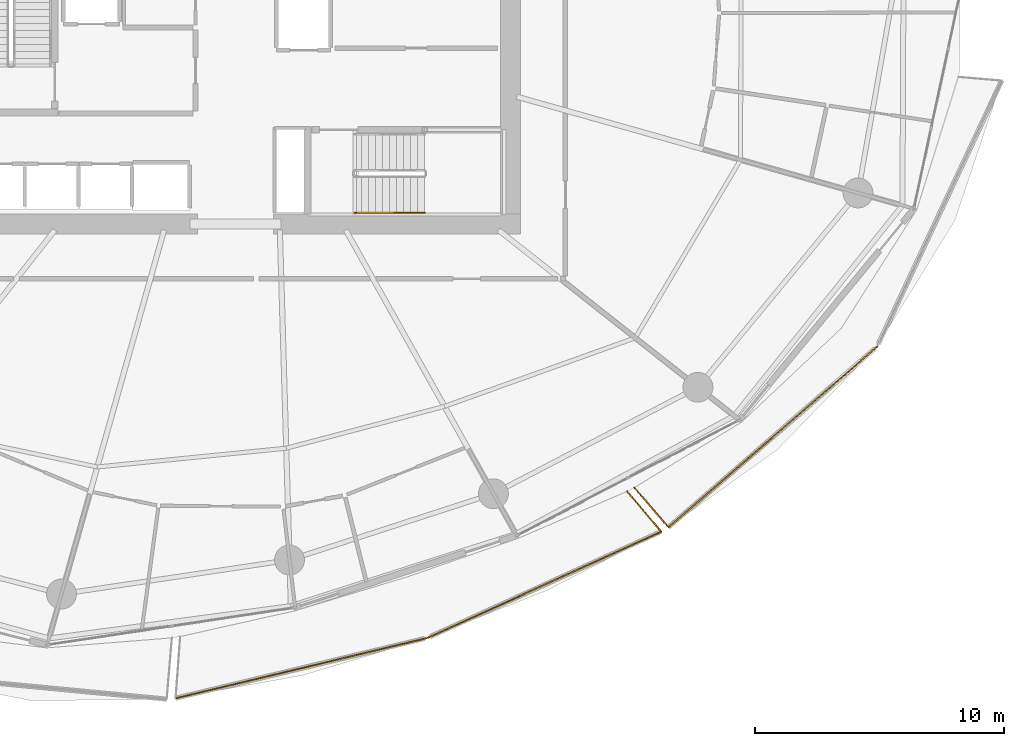
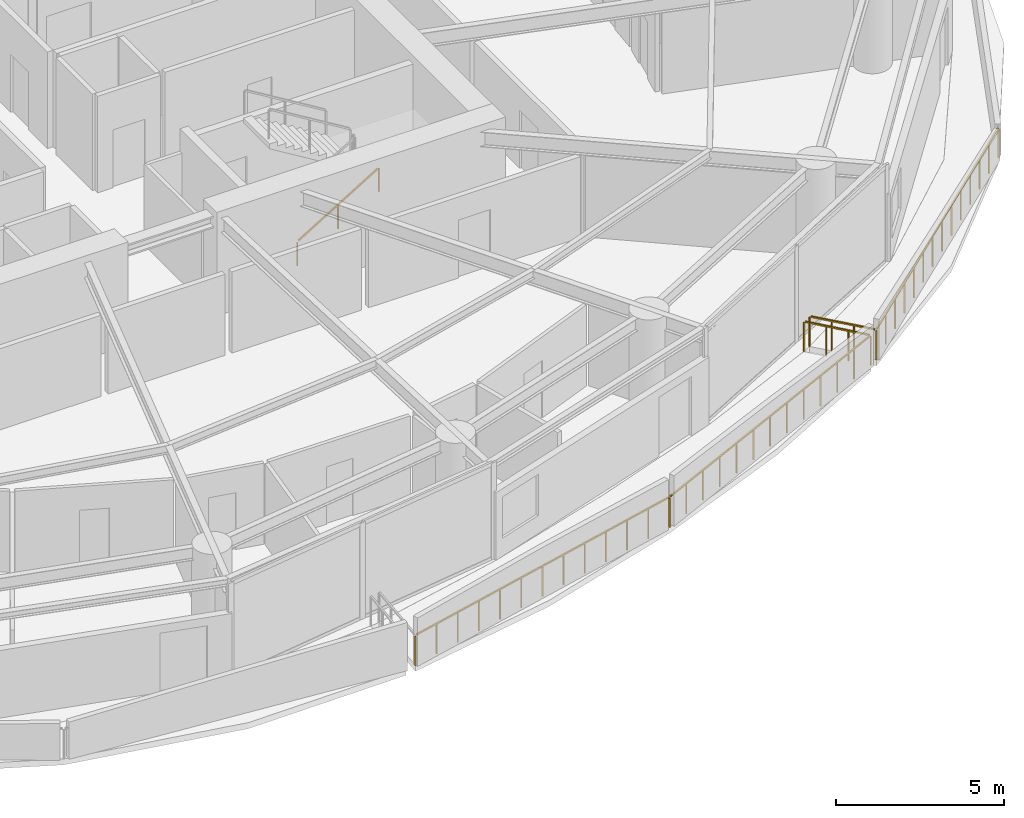
# One storey, part 19 of 23: 6 railings.
"""IFC4 building model written with IfcOpenShell, lengths in metres."""

from ifc_helpers import new_model, si_unit, direction, frame, origin, origin_2d, place, context, subcontext, project, spatial, rectangle, extrude, material, type_object, element, save


model = new_model("IFC4")

# Units and contexts
model_context = context("Model", 3, precision=1e-05, world=origin(), true_north=direction((0.0, 1.0)))
body_context = subcontext(model_context, "Body", "Model", "MODEL_VIEW")
ifc_project = project(units=[si_unit("LENGTHUNIT", "METRE"), si_unit("AREAUNIT", "SQUARE_METRE"), si_unit("VOLUMEUNIT", "CUBIC_METRE"), si_unit("PLANEANGLEUNIT", "RADIAN"), si_unit("MASSUNIT", "GRAM", prefix="KILO")], contexts=[model_context])

# Site, building, storey
site_placement = place(None, origin())
site = spatial("IfcSite", under=ifc_project, at=site_placement, CompositionType="ELEMENT")
building_placement = place(site_placement, origin())
building = spatial("IfcBuilding", under=site, at=building_placement, Name="Kazma Halo Residences", CompositionType="ELEMENT")
storey_placement = place(building_placement, frame((0.0, 0.0, 105.14990234375)))
storey = spatial("IfcBuildingStorey", under=building, at=storey_placement, Name="L26", CompositionType="ELEMENT", Elevation=105.14990234375)

# Railings
ifc_material_1 = material(Name="Aluminium AW-6063 T6 Brushed Cap Rail", Category="aluminium")
railing_type_1 = type_object("IfcRailingType", Name="RLG-BAL-CAP-1120", PredefinedType="BALUSTRADE", material=ifc_material_1)
railing_1_placement = place(storey_placement, frame((46.010498046875, 14.581298828125, 0.0)))
element("IfcRailing", 1, at=railing_1_placement, inside=storey, type_object=railing_type_1, Name="L26 SSE wave balcony guard 2", PredefinedType="BALUSTRADE", context=body_context, shape_type="SweptSolid", body=[
    extrude(rectangle(XDim=0.050048828125, YDim=0.050048828125, at=origin_2d()), frame((0.041259765625, 0.010009765625, 1.09521484375), z_axis=(0.972482281396, 0.23297684943, 0.0), x_axis=(-0.23297684943, 0.972482281396, 0.0)), (0.0, 0.0, 1.0), 10.312255859375),
    extrude(rectangle(XDim=0.0400390625, YDim=0.0400390625, at=origin_2d()), origin(), (0.0, 0.0, 1.0), 1.05810546875),
    extrude(rectangle(XDim=0.0400390625, YDim=0.0400390625, at=origin_2d()), frame((0.842529296875, 0.201904296875, 0.0)), (0.0, 0.0, 1.0), 1.05810546875),
    extrude(rectangle(XDim=0.0400390625, YDim=0.0400390625, at=origin_2d()), frame((1.685302734375, 0.40380859375, 0.0)), (0.0, 0.0, 1.0), 1.05810546875),
    extrude(rectangle(XDim=0.0400390625, YDim=0.0400390625, at=origin_2d()), frame((2.52783203125, 0.60546875, 0.0)), (0.0, 0.0, 1.0), 1.05810546875),
    extrude(rectangle(XDim=0.0400390625, YDim=0.0400390625, at=origin_2d()), frame((3.370361328125, 0.807373046875, 0.0)), (0.0, 0.0, 1.0), 1.05810546875),
    extrude(rectangle(XDim=0.0400390625, YDim=0.0400390625, at=origin_2d()), frame((4.213134765625, 1.00927734375, 0.0)), (0.0, 0.0, 1.0), 1.05810546875),
    extrude(rectangle(XDim=0.0400390625, YDim=0.0400390625, at=origin_2d()), frame((5.0556640625, 1.211181640625, 0.0)), (0.0, 0.0, 1.0), 1.05810546875),
    extrude(rectangle(XDim=0.0400390625, YDim=0.0400390625, at=origin_2d()), frame((5.898193359375, 1.4130859375, 0.0)), (0.0, 0.0, 1.0), 1.05810546875),
    extrude(rectangle(XDim=0.0400390625, YDim=0.0400390625, at=origin_2d()), frame((6.740966796875, 1.614990234375, 0.0)), (0.0, 0.0, 1.0), 1.05810546875),
    extrude(rectangle(XDim=0.0400390625, YDim=0.0400390625, at=origin_2d()), frame((7.58349609375, 1.81689453125, 0.0)), (0.0, 0.0, 1.0), 1.05810546875),
    extrude(rectangle(XDim=0.0400390625, YDim=0.0400390625, at=origin_2d()), frame((8.426025390625, 2.0185546875, 0.0)), (0.0, 0.0, 1.0), 1.05810546875),
    extrude(rectangle(XDim=0.0400390625, YDim=0.0400390625, at=origin_2d()), frame((9.268798828125, 2.220458984375, 0.0)), (0.0, 0.0, 1.0), 1.05810546875),
    extrude(rectangle(XDim=0.0400390625, YDim=0.0400390625, at=origin_2d()), frame((10.111328125, 2.42236328125, 0.0)), (0.0, 0.0, 1.0), 1.05810546875),
])
railing_2_placement = place(storey_placement, frame((56.121826171875, 17.003662109375, 0.0)))
element("IfcRailing", 2, at=railing_2_placement, inside=storey, type_object=railing_type_1, Name="L26 SSE wave balcony guard 3", PredefinedType="BALUSTRADE", context=body_context, shape_type="SweptSolid", body=[
    extrude(rectangle(XDim=0.050048828125, YDim=0.050048828125, at=origin_2d()), frame((0.038818359375, 0.017578125, 1.09521484375), z_axis=(0.91022101605, 0.414122810216, 0.0), x_axis=(-0.414122810216, 0.91022101605, 0.0)), (0.0, 0.0, 1.0), 10.20751953125),
    extrude(rectangle(XDim=0.0400390625, YDim=0.0400390625, at=origin_2d()), origin(), (0.0, 0.0, 1.0), 1.05810546875),
    extrude(rectangle(XDim=0.0400390625, YDim=0.0400390625, at=origin_2d()), frame((0.78076171875, 0.355224609375, 0.0)), (0.0, 0.0, 1.0), 1.05810546875),
    extrude(rectangle(XDim=0.0400390625, YDim=0.0400390625, at=origin_2d()), frame((1.5615234375, 0.71044921875, 0.0)), (0.0, 0.0, 1.0), 1.05810546875),
    extrude(rectangle(XDim=0.0400390625, YDim=0.0400390625, at=origin_2d()), frame((2.34228515625, 1.065673828125, 0.0)), (0.0, 0.0, 1.0), 1.05810546875),
    extrude(rectangle(XDim=0.0400390625, YDim=0.0400390625, at=origin_2d()), frame((3.122802734375, 1.4208984375, 0.0)), (0.0, 0.0, 1.0), 1.05810546875),
    extrude(rectangle(XDim=0.0400390625, YDim=0.0400390625, at=origin_2d()), frame((3.903564453125, 1.776123046875, 0.0)), (0.0, 0.0, 1.0), 1.05810546875),
    extrude(rectangle(XDim=0.0400390625, YDim=0.0400390625, at=origin_2d()), frame((4.684326171875, 2.13134765625, 0.0)), (0.0, 0.0, 1.0), 1.05810546875),
    extrude(rectangle(XDim=0.0400390625, YDim=0.0400390625, at=origin_2d()), frame((5.465087890625, 2.486328125, 0.0)), (0.0, 0.0, 1.0), 1.05810546875),
    extrude(rectangle(XDim=0.0400390625, YDim=0.0400390625, at=origin_2d()), frame((6.245849609375, 2.841552734375, 0.0)), (0.0, 0.0, 1.0), 1.05810546875),
    extrude(rectangle(XDim=0.0400390625, YDim=0.0400390625, at=origin_2d()), frame((7.0263671875, 3.19677734375, 0.0)), (0.0, 0.0, 1.0), 1.05810546875),
    extrude(rectangle(XDim=0.0400390625, YDim=0.0400390625, at=origin_2d()), frame((7.80712890625, 3.552001953125, 0.0)), (0.0, 0.0, 1.0), 1.05810546875),
    extrude(rectangle(XDim=0.0400390625, YDim=0.0400390625, at=origin_2d()), frame((8.587890625, 3.9072265625, 0.0)), (0.0, 0.0, 1.0), 1.05810546875),
    extrude(rectangle(XDim=0.0400390625, YDim=0.0400390625, at=origin_2d()), frame((9.36865234375, 4.262451171875, 0.0)), (0.0, 0.0, 1.0), 1.05810546875),
])
railing_3_placement = place(storey_placement, frame((65.490478515625, 21.26611328125, 0.0)))
element("IfcRailing", 3, at=railing_3_placement, inside=storey, type_object=railing_type_1, Name="L26 SSE wave balcony guard 4", PredefinedType="BALUSTRADE", context=body_context, shape_type="SweptSolid", body=[
    extrude(rectangle(XDim=0.050048828125, YDim=0.050048828125, at=origin_2d()), frame((-0.02734375, 0.032470703125, 1.09521484375), z_axis=(-0.644761328939, 0.76438395372, 0.0), x_axis=(-0.76438395372, -0.644761328939, 0.0)), (0.0, 0.0, 1.0), 2.029296875),
    extrude(rectangle(XDim=0.0400390625, YDim=0.0400390625, at=origin_2d()), origin(), (0.0, 0.0, 1.0), 1.05810546875),
    extrude(rectangle(XDim=0.0400390625, YDim=0.0400390625, at=origin_2d()), frame((-0.454345703125, 0.538818359375, 0.0)), (0.0, 0.0, 1.0), 1.05810546875),
    extrude(rectangle(XDim=0.0400390625, YDim=0.0400390625, at=origin_2d()), frame((-0.908935546875, 1.077392578125, 0.0)), (0.0, 0.0, 1.0), 1.05810546875),
    extrude(rectangle(XDim=0.0400390625, YDim=0.0400390625, at=origin_2d()), frame((-1.36328125, 1.6162109375, 0.0)), (0.0, 0.0, 1.0), 1.05810546875),
])
railing_4_placement = place(storey_placement, frame((64.40576171875, 23.027099609375, 0.0)))
element("IfcRailing", 4, at=railing_4_placement, inside=storey, type_object=railing_type_1, Name="L26 SE wave balcony guard 1", PredefinedType="BALUSTRADE", context=body_context, shape_type="SweptSolid", body=[
    extrude(rectangle(XDim=0.050048828125, YDim=0.050048828125, at=origin_2d()), frame((0.02783203125, -0.0322265625, 1.09521484375), z_axis=(0.654106998208, -0.756402032582, 0.0), x_axis=(0.756402032582, 0.654106998208, 0.0)), (0.0, 0.0, 1.0), 2.01513671875),
    extrude(rectangle(XDim=0.0400390625, YDim=0.0400390625, at=origin_2d()), origin(), (0.0, 0.0, 1.0), 1.05810546875),
    extrude(rectangle(XDim=0.0400390625, YDim=0.0400390625, at=origin_2d()), frame((0.4580078125, -0.529541015625, 0.0)), (0.0, 0.0, 1.0), 1.05810546875),
    extrude(rectangle(XDim=0.0400390625, YDim=0.0400390625, at=origin_2d()), frame((0.915771484375, -1.05908203125, 0.0)), (0.0, 0.0, 1.0), 1.05810546875),
    extrude(rectangle(XDim=0.0400390625, YDim=0.0400390625, at=origin_2d()), frame((1.373779296875, -1.588623046875, 0.0)), (0.0, 0.0, 1.0), 1.05810546875),
])
railing_5_placement = place(storey_placement, frame((65.779541015625, 21.4384765625, 0.0)))
element("IfcRailing", 5, at=railing_5_placement, inside=storey, type_object=railing_type_1, Name="L26 SE wave balcony guard 2", PredefinedType="BALUSTRADE", context=body_context, shape_type="SweptSolid", body=[
    extrude(rectangle(XDim=0.050048828125, YDim=0.050048828125, at=origin_2d()), frame((0.0322265625, 0.02783203125, 1.09521484375), z_axis=(0.756090139771, 0.654467493876, 0.0), x_axis=(-0.654467493876, 0.756090139771, 0.0)), (0.0, 0.0, 1.0), 10.97802734375),
    extrude(rectangle(XDim=0.0400390625, YDim=0.0400390625, at=origin_2d()), origin(), (0.0, 0.0, 1.0), 1.05810546875),
    extrude(rectangle(XDim=0.0400390625, YDim=0.0400390625, at=origin_2d()), frame((0.6435546875, 0.556884765625, 0.0)), (0.0, 0.0, 1.0), 1.05810546875),
    extrude(rectangle(XDim=0.0400390625, YDim=0.0400390625, at=origin_2d()), frame((1.286865234375, 1.114013671875, 0.0)), (0.0, 0.0, 1.0), 1.05810546875),
    extrude(rectangle(XDim=0.0400390625, YDim=0.0400390625, at=origin_2d()), frame((1.930419921875, 1.6708984375, 0.0)), (0.0, 0.0, 1.0), 1.05810546875),
    extrude(rectangle(XDim=0.0400390625, YDim=0.0400390625, at=origin_2d()), frame((2.57373046875, 2.227783203125, 0.0)), (0.0, 0.0, 1.0), 1.05810546875),
    extrude(rectangle(XDim=0.0400390625, YDim=0.0400390625, at=origin_2d()), frame((3.21728515625, 2.784912109375, 0.0)), (0.0, 0.0, 1.0), 1.05810546875),
    extrude(rectangle(XDim=0.0400390625, YDim=0.0400390625, at=origin_2d()), frame((3.860595703125, 3.341796875, 0.0)), (0.0, 0.0, 1.0), 1.05810546875),
    extrude(rectangle(XDim=0.0400390625, YDim=0.0400390625, at=origin_2d()), frame((4.504150390625, 3.898681640625, 0.0)), (0.0, 0.0, 1.0), 1.05810546875),
    extrude(rectangle(XDim=0.0400390625, YDim=0.0400390625, at=origin_2d()), frame((5.1474609375, 4.45556640625, 0.0)), (0.0, 0.0, 1.0), 1.05810546875),
    extrude(rectangle(XDim=0.0400390625, YDim=0.0400390625, at=origin_2d()), frame((5.791015625, 5.0126953125, 0.0)), (0.0, 0.0, 1.0), 1.05810546875),
    extrude(rectangle(XDim=0.0400390625, YDim=0.0400390625, at=origin_2d()), frame((6.434326171875, 5.569580078125, 0.0)), (0.0, 0.0, 1.0), 1.05810546875),
    extrude(rectangle(XDim=0.0400390625, YDim=0.0400390625, at=origin_2d()), frame((7.077880859375, 6.12646484375, 0.0)), (0.0, 0.0, 1.0), 1.05810546875),
    extrude(rectangle(XDim=0.0400390625, YDim=0.0400390625, at=origin_2d()), frame((7.72119140625, 6.68359375, 0.0)), (0.0, 0.0, 1.0), 1.05810546875),
    extrude(rectangle(XDim=0.0400390625, YDim=0.0400390625, at=origin_2d()), frame((8.36474609375, 7.240478515625, 0.0)), (0.0, 0.0, 1.0), 1.05810546875),
])
ifc_material_2 = material(Name="Brushed Stainless Steel", Category="steel")
railing_type_2 = type_object("IfcRailingType", Name="RLG-STAIR-HND-900", PredefinedType="HANDRAIL", material=ifc_material_2)
railing_6_placement = place(storey_placement, frame((53.199951171875, 34.050048828125, 0.170654296875)))
element("IfcRailing", 6, at=railing_6_placement, inside=storey, type_object=railing_type_2, Name="L26 ST-03 stair handrail 1", PredefinedType="HANDRAIL", context=body_context, shape_type="SweptSolid", body=[
    extrude(rectangle(XDim=0.050048828125, YDim=0.050048828125, at=origin_2d()), frame((0.036376953125, 0.0, 0.89697265625), z_axis=(0.854202870247, 0.0, 0.519939858505), x_axis=(0.0, 1.0, 0.0)), (0.0, 0.0, 1.0), 3.19287109375),
    extrude(rectangle(XDim=0.0400390625, YDim=0.0400390625, at=origin_2d()), origin(), (0.0, 0.0, 1.0), 0.837890625),
    extrude(rectangle(XDim=0.0400390625, YDim=0.0400390625, at=origin_2d()), frame((1.39990234375, 0.0, 0.85205078125)), (0.0, 0.0, 1.0), 0.837890625),
    extrude(rectangle(XDim=0.0400390625, YDim=0.0400390625, at=origin_2d()), frame((2.800048828125, 0.0, 1.704345703125)), (0.0, 0.0, 1.0), 0.837890625),
])

save(model, "model.ifc")
